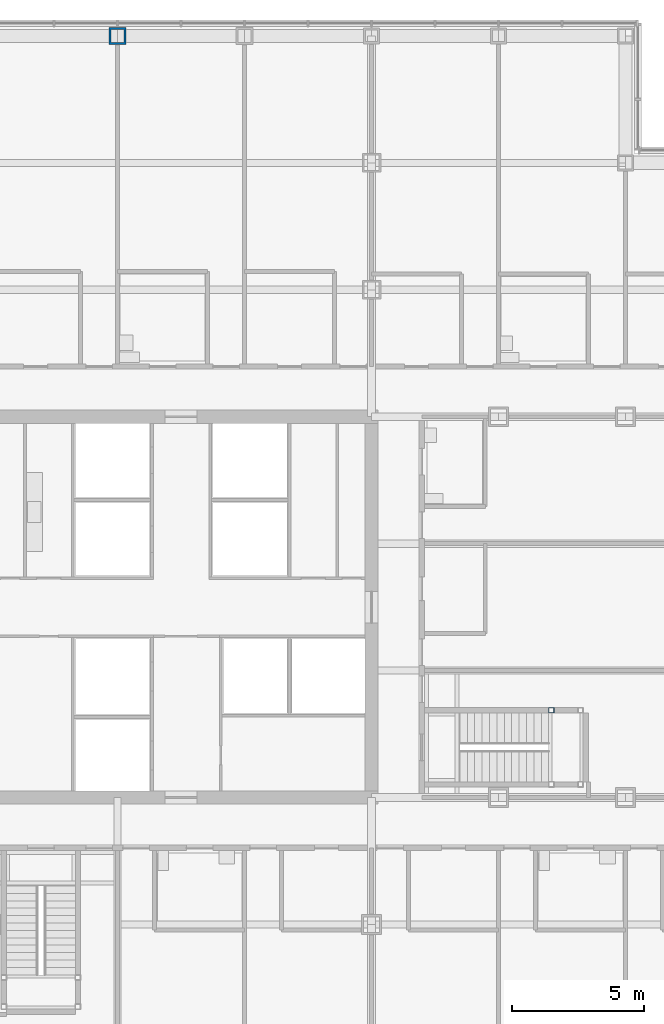
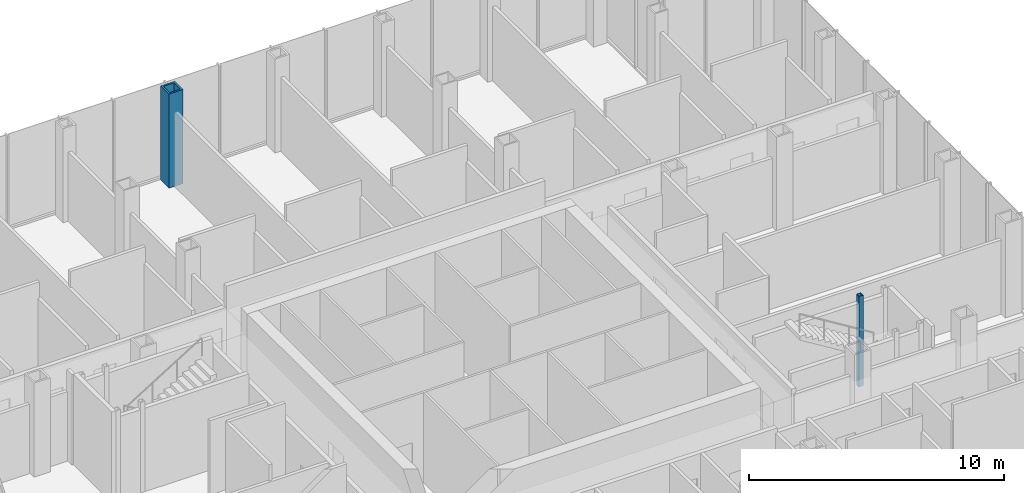
# One storey, part 6 of 24: 2 columns.
"""IFC4 building model written with IfcOpenShell, lengths in metres."""

from ifc_helpers import new_model, si_unit, direction, frame, origin, origin_2d, place, context, subcontext, project, spatial, hollow_rectangle, extrude, material, material_profile, profile_set, type_object, element, save


model = new_model("IFC4")

# Units and contexts
model_context = context("Model", 3, precision=1e-05, world=origin(), true_north=direction((0.0, 1.0)))
body_context = subcontext(model_context, "Body", "Model", "MODEL_VIEW")
ifc_project = project(units=[si_unit("LENGTHUNIT", "METRE"), si_unit("AREAUNIT", "SQUARE_METRE"), si_unit("VOLUMEUNIT", "CUBIC_METRE"), si_unit("PLANEANGLEUNIT", "RADIAN"), si_unit("MASSUNIT", "GRAM", prefix="KILO")], contexts=[model_context])

# Site, building, storey
site_placement = place(None, origin())
site = spatial("IfcSite", under=ifc_project, at=site_placement, CompositionType="ELEMENT")
building_placement = place(site_placement, origin())
building = spatial("IfcBuilding", under=site, at=building_placement, Name="Kvirike Care Tower", CompositionType="ELEMENT")
storey_placement = place(building_placement, frame((0.0, 0.0, 22.5)))
storey = spatial("IfcBuildingStorey", under=building, at=storey_placement, Name="L05", CompositionType="ELEMENT", Elevation=22.5)

# Columns
ifc_material_1 = material(Name="Steel S460", Category="steel")
ifc_material_profile_1 = material_profile(ifc_material_1, hollow_rectangle(XDim=0.64990234375, YDim=0.64990234375, WallThickness=0.080078125, at=origin_2d()), Name="BX 650x650x80")
ifc_profile_set_1 = profile_set([ifc_material_profile_1], Name="Steel S460")
column_type_1 = type_object("IfcColumnType", Name="COLUMN BX 650x650x80", PredefinedType="COLUMN", material=ifc_profile_set_1)
column_1_placement = place(storey_placement, frame((19.199951171875, 57.60009765625, 0.0), z_axis=(0.0, 0.0, 1.0), x_axis=(0.0, 1.0, 0.0)))
element("IfcColumn", 1, at=column_1_placement, inside=storey, type_object=column_type_1, Name="Column N7 L05", PredefinedType="COLUMN", context=body_context, shape_type="SweptSolid", body=[
    extrude(hollow_rectangle(XDim=0.64990234375, YDim=0.64990234375, WallThickness=0.080078125, at=origin_2d()), origin(), (0.0, 0.0, 1.0), 4.5),
])
ifc_material_2 = material(Name="Steel S460", Category="steel")
ifc_material_profile_2 = material_profile(ifc_material_2, hollow_rectangle(XDim=0.199951171875, YDim=0.199951171875, WallThickness=0.008056640625, at=origin_2d()), Name="SHS 200x200x8")
ifc_profile_set_2 = profile_set([ifc_material_profile_2], Name="Steel S460")
column_type_2 = type_object("IfcColumnType", Name="STAIR POST SHS 200x200x8", PredefinedType="COLUMN", material=ifc_profile_set_2)
column_2_placement = place(storey_placement, frame((35.60009765625, 32.10009765625, 0.0), z_axis=(0.0, 0.0, 1.0), x_axis=(1.0, 0.0, 0.0)))
element("IfcColumn", 2, at=column_2_placement, inside=storey, type_object=column_type_2, Name="Stair 2 post 4 L05", PredefinedType="COLUMN", context=body_context, shape_type="SweptSolid", body=[
    extrude(hollow_rectangle(XDim=0.199951171875, YDim=0.199951171875, WallThickness=0.008056640625, at=origin_2d()), origin(), (0.0, 0.0, 1.0), 4.330078125),
])

save(model, "model.ifc")
